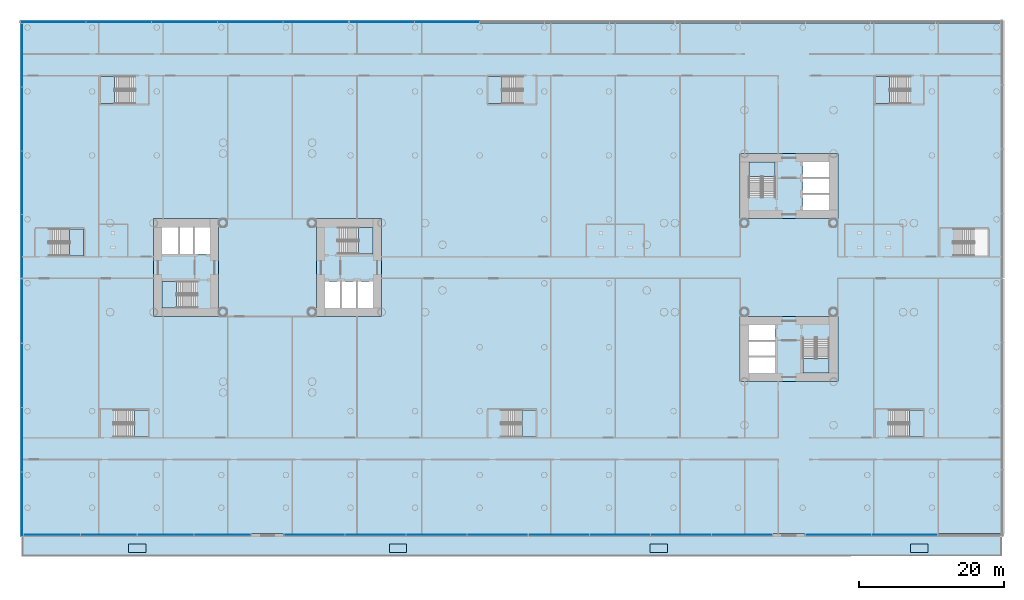
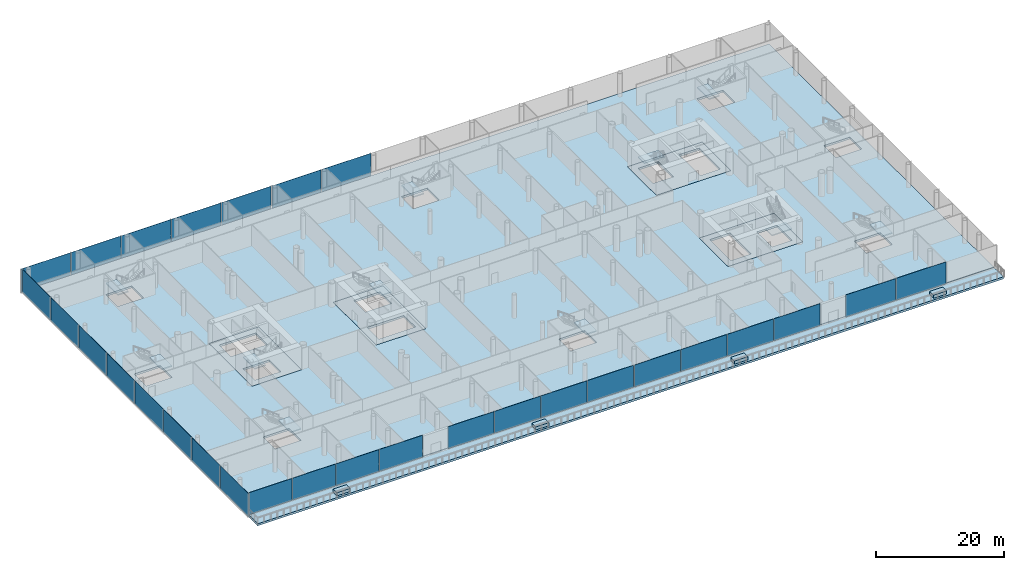
# One storey, part 15 of 49: 29 plates, 21 slabs, 19 elements without a shape of their own.
"""IFC4 building model written with IfcOpenShell, lengths in metres."""

from ifc_helpers import new_model, si_unit, direction, frame, origin, origin_2d, place, context, subcontext, project, spatial, polyline, rectangle, outline, extrude, material, layer, layer_set, type_object, element, aggregate, save


model = new_model("IFC4")

# Units and contexts
model_context = context("Model", 3, precision=1e-05, world=origin(), true_north=direction((0.0, 1.0)))
body_context = subcontext(model_context, "Body", "Model", "MODEL_VIEW")
ifc_project = project(units=[si_unit("LENGTHUNIT", "METRE"), si_unit("AREAUNIT", "SQUARE_METRE"), si_unit("VOLUMEUNIT", "CUBIC_METRE"), si_unit("PLANEANGLEUNIT", "RADIAN"), si_unit("MASSUNIT", "GRAM", prefix="KILO")], contexts=[model_context])

# Site, building, storey
site_placement = place(None, origin())
site = spatial("IfcSite", under=ifc_project, at=site_placement, CompositionType="ELEMENT")
building_placement = place(site_placement, origin())
building = spatial("IfcBuilding", under=site, at=building_placement, Name="Ipe Terrace Towers", CompositionType="ELEMENT")
storey_placement = place(building_placement, frame((0.0, 0.0, 11.0)))
storey = spatial("IfcBuildingStorey", under=building, at=storey_placement, Name="L02", CompositionType="ELEMENT", Elevation=11.0)

# Slabs
ifc_material_1 = material(Name="Concrete C30/37", Category="concrete")
ifc_layer_1 = layer(ifc_material_1, 0.39990234375)
ifc_layer_set_1 = layer_set([ifc_layer_1], Name="CORE FLOOR SLAB 400 C30-37")
slab_type_1 = type_object("IfcSlabType", Name="CORE FLOOR SLAB 400 C30-37", PredefinedType="FLOOR", material=ifc_layer_set_1)
slab_1_placement = place(storey_placement, frame((0.0, 0.0, -0.39990234375)))
element("IfcSlab", 1, at=slab_1_placement, inside=storey, type_object=slab_type_1, Name="Core floor T1-C1", PredefinedType="FLOOR", context=body_context, shape_type="SweptSolid", body=[
    extrude(outline(polyline([(-29.25, -6.75), (-29.25, 6.75), (-20.25, 6.75), (-20.25, -6.75), (-29.25, -6.75)]), holes=[polyline([(-28.050048828125, -5.550048828125), (-21.449951171875, -5.550048828125), (-21.449951171875, -1.89990234375), (-28.050048828125, -1.89990234375), (-28.050048828125, -5.550048828125)]), polyline([(-26.199951171875, 5.550048828125), (-26.199951171875, 1.89990234375), (-21.449951171875, 1.89990234375), (-21.449951171875, 5.550048828125), (-26.199951171875, 5.550048828125)])]), origin(), (0.0, 0.0, 1.0), 0.39990234375),
])
slab_2_placement = place(storey_placement, frame((0.0, 0.0, -0.39990234375)))
element("IfcSlab", 2, at=slab_2_placement, inside=storey, type_object=slab_type_1, Name="Core floor T1-C2", PredefinedType="FLOOR", context=body_context, shape_type="SweptSolid", body=[
    extrude(outline(polyline([(-51.75, -6.75), (-51.75, 6.75), (-42.75, 6.75), (-42.75, -6.75), (-51.75, -6.75)]), holes=[polyline([(-45.800048828125, -5.550048828125), (-45.800048828125, -1.89990234375), (-50.550048828125, -1.89990234375), (-50.550048828125, -5.550048828125), (-45.800048828125, -5.550048828125)]), polyline([(-50.550048828125, 1.89990234375), (-43.949951171875, 1.89990234375), (-43.949951171875, 5.550048828125), (-50.550048828125, 5.550048828125), (-50.550048828125, 1.89990234375)])]), origin(), (0.0, 0.0, 1.0), 0.39990234375),
])
slab_3_placement = place(storey_placement, frame((0.0, 0.0, -0.39990234375)))
element("IfcSlab", 3, at=slab_3_placement, inside=storey, type_object=slab_type_1, Name="Core floor T2-C1", PredefinedType="FLOOR", context=body_context, shape_type="SweptSolid", body=[
    extrude(outline(polyline([(29.25, 6.75), (29.25, 15.75), (42.75, 15.75), (42.75, 6.75), (29.25, 6.75)]), holes=[polyline([(41.550048828125, 7.949951171875), (41.550048828125, 14.550048828125), (37.89990234375, 14.550048828125), (37.89990234375, 7.949951171875), (41.550048828125, 7.949951171875)]), polyline([(30.449951171875, 9.800048828125), (34.10009765625, 9.800048828125), (34.10009765625, 14.550048828125), (30.449951171875, 14.550048828125), (30.449951171875, 9.800048828125)])]), origin(), (0.0, 0.0, 1.0), 0.39990234375),
])
slab_4_placement = place(storey_placement, frame((0.0, 0.0, -0.39990234375)))
element("IfcSlab", 4, at=slab_4_placement, inside=storey, type_object=slab_type_1, Name="Core floor T2-C2", PredefinedType="FLOOR", context=body_context, shape_type="SweptSolid", body=[
    extrude(outline(polyline([(29.25, -15.75), (29.25, -6.75), (42.75, -6.75), (42.75, -15.75), (29.25, -15.75)]), holes=[polyline([(34.10009765625, -14.550048828125), (34.10009765625, -7.949951171875), (30.449951171875, -7.949951171875), (30.449951171875, -14.550048828125), (34.10009765625, -14.550048828125)]), polyline([(41.550048828125, -9.800048828125), (37.89990234375, -9.800048828125), (37.89990234375, -14.550048828125), (41.550048828125, -14.550048828125), (41.550048828125, -9.800048828125)])]), origin(), (0.0, 0.0, 1.0), 0.39990234375),
])

# Stair, slab
ifc_material_2 = material(Name="Concrete C30/37", Category="concrete")
stair_type = type_object("IfcStairType", Name="Protected exit stair", PredefinedType="HALF_TURN_STAIR", material=ifc_material_2)
stair_1_placement = place(storey_placement, origin())
stair_1 = element("IfcStair", 5, at=stair_1_placement, inside=storey, type_object=stair_type, Name="L02 Exit stair T1-C1", PredefinedType="HALF_TURN_STAIR")
ifc_material_3 = material(Name="Concrete C30/37", Category="concrete")
ifc_layer_2 = layer(ifc_material_3, 0.199951171875)
ifc_layer_set_2 = layer_set([ifc_layer_2], Name="Exit stair landing 200")
slab_type_2 = type_object("IfcSlabType", Name="Exit stair landing 200", PredefinedType="LANDING", material=ifc_layer_set_2)
slab_5_placement = place(storey_placement, frame((0.0, 0.0, 2.050048828125)))
slab_5 = element("IfcSlab", 6, at=slab_5_placement, type_object=slab_type_2, Name="T1-ST1 landing 1", PredefinedType="LANDING", context=body_context, shape_type="SweptSolid", body=[
    extrude(outline(polyline([(-23.43994140625, 1.89990234375), (-21.449951171875, 1.89990234375), (-21.449951171875, 5.550048828125), (-23.43994140625, 5.550048828125), (-23.43994140625, 1.89990234375)])), origin(), (0.0, 0.0, 1.0), 0.199951171875),
])
aggregate(stair_1, [slab_5])

stair_2_placement = place(storey_placement, origin())
stair_2 = element("IfcStair", 7, at=stair_2_placement, inside=storey, type_object=stair_type, Name="L02 Exit stair T1-C2", PredefinedType="HALF_TURN_STAIR")
slab_6_placement = place(storey_placement, frame((0.0, 0.0, 2.050048828125)))
slab_6 = element("IfcSlab", 8, at=slab_6_placement, type_object=slab_type_2, Name="T1-ST2 landing 1", PredefinedType="LANDING", context=body_context, shape_type="SweptSolid", body=[
    extrude(outline(polyline([(-48.56005859375, -1.89990234375), (-50.550048828125, -1.89990234375), (-50.550048828125, -5.550048828125), (-48.56005859375, -5.550048828125), (-48.56005859375, -1.89990234375)])), origin(), (0.0, 0.0, 1.0), 0.199951171875),
])
aggregate(stair_2, [slab_6])

stair_3_placement = place(storey_placement, origin())
stair_3 = element("IfcStair", 9, at=stair_3_placement, inside=storey, type_object=stair_type, Name="L02 Exit stair T2-C1", PredefinedType="HALF_TURN_STAIR")
slab_7_placement = place(storey_placement, frame((0.0, 0.0, 2.050048828125)))
slab_7 = element("IfcSlab", 10, at=slab_7_placement, type_object=slab_type_2, Name="T2-ST1 landing 1", PredefinedType="LANDING", context=body_context, shape_type="SweptSolid", body=[
    extrude(outline(polyline([(34.10009765625, 12.56005859375), (34.10009765625, 14.550048828125), (30.449951171875, 14.550048828125), (30.449951171875, 12.56005859375), (34.10009765625, 12.56005859375)])), origin(), (0.0, 0.0, 1.0), 0.199951171875),
])
aggregate(stair_3, [slab_7])

stair_4_placement = place(storey_placement, origin())
stair_4 = element("IfcStair", 11, at=stair_4_placement, inside=storey, type_object=stair_type, Name="L02 Exit stair T2-C2", PredefinedType="HALF_TURN_STAIR")
slab_8_placement = place(storey_placement, frame((0.0, 0.0, 2.050048828125)))
slab_8 = element("IfcSlab", 12, at=slab_8_placement, type_object=slab_type_2, Name="T2-ST2 landing 1", PredefinedType="LANDING", context=body_context, shape_type="SweptSolid", body=[
    extrude(outline(polyline([(37.89990234375, -12.56005859375), (37.89990234375, -14.550048828125), (41.550048828125, -14.550048828125), (41.550048828125, -12.56005859375), (37.89990234375, -12.56005859375)])), origin(), (0.0, 0.0, 1.0), 0.199951171875),
])
aggregate(stair_4, [slab_8])

stair_5_placement = place(storey_placement, origin())
stair_5 = element("IfcStair", 13, at=stair_5_placement, inside=storey, type_object=stair_type, Name="L02 Podium exit stair PS1", PredefinedType="HALF_TURN_STAIR")
slab_9_placement = place(storey_placement, frame((0.0, 0.0, 2.050048828125)))
slab_9 = element("IfcSlab", 14, at=slab_9_placement, type_object=slab_type_2, Name="PS1 landing 1", PredefinedType="LANDING", context=body_context, shape_type="SweptSolid", body=[
    extrude(outline(polyline([(-57.1298828125, 26.39990234375), (-59.070068359375, 26.39990234375), (-59.070068359375, 22.64990234375), (-57.1298828125, 22.64990234375), (-57.1298828125, 26.39990234375)])), origin(), (0.0, 0.0, 1.0), 0.199951171875),
])
aggregate(stair_5, [slab_9])

stair_6_placement = place(storey_placement, origin())
stair_6 = element("IfcStair", 15, at=stair_6_placement, inside=storey, type_object=stair_type, Name="L02 Podium exit stair PS2", PredefinedType="HALF_TURN_STAIR")
slab_10_placement = place(storey_placement, frame((0.0, 0.0, 2.050048828125)))
slab_10 = element("IfcSlab", 16, at=slab_10_placement, type_object=slab_type_2, Name="PS2 landing 1", PredefinedType="LANDING", context=body_context, shape_type="SweptSolid", body=[
    extrude(outline(polyline([(-3.610107421875, 26.39990234375), (-5.550048828125, 26.39990234375), (-5.550048828125, 22.64990234375), (-3.610107421875, 22.64990234375), (-3.610107421875, 26.39990234375)])), origin(), (0.0, 0.0, 1.0), 0.199951171875),
])
aggregate(stair_6, [slab_10])

stair_7_placement = place(storey_placement, origin())
stair_7 = element("IfcStair", 17, at=stair_7_placement, inside=storey, type_object=stair_type, Name="L02 Podium exit stair PS3", PredefinedType="HALF_TURN_STAIR")
slab_11_placement = place(storey_placement, frame((0.0, 0.0, 2.050048828125)))
slab_11 = element("IfcSlab", 18, at=slab_11_placement, type_object=slab_type_2, Name="PS3 landing 1", PredefinedType="LANDING", context=body_context, shape_type="SweptSolid", body=[
    extrude(outline(polyline([(49.909912109375, 26.39990234375), (47.969970703125, 26.39990234375), (47.969970703125, 22.64990234375), (49.909912109375, 22.64990234375), (49.909912109375, 26.39990234375)])), origin(), (0.0, 0.0, 1.0), 0.199951171875),
])
aggregate(stair_7, [slab_11])

stair_8_placement = place(storey_placement, origin())
stair_8 = element("IfcStair", 19, at=stair_8_placement, inside=storey, type_object=stair_type, Name="L02 Podium exit stair PS4", PredefinedType="HALF_TURN_STAIR")
slab_12_placement = place(storey_placement, frame((0.0, 0.0, 2.050048828125)))
slab_12 = element("IfcSlab", 20, at=slab_12_placement, type_object=slab_type_2, Name="PS4 landing 1", PredefinedType="LANDING", context=body_context, shape_type="SweptSolid", body=[
    extrude(outline(polyline([(-54.409912109375, -23.39990234375), (-52.469970703125, -23.39990234375), (-52.469970703125, -19.64990234375), (-54.409912109375, -19.64990234375), (-54.409912109375, -23.39990234375)])), origin(), (0.0, 0.0, 1.0), 0.199951171875),
])
aggregate(stair_8, [slab_12])

stair_9_placement = place(storey_placement, origin())
stair_9 = element("IfcStair", 21, at=stair_9_placement, inside=storey, type_object=stair_type, Name="L02 Podium exit stair PS5", PredefinedType="HALF_TURN_STAIR")
slab_13_placement = place(storey_placement, frame((0.0, 0.0, 2.050048828125)))
slab_13 = element("IfcSlab", 22, at=slab_13_placement, type_object=slab_type_2, Name="PS5 landing 1", PredefinedType="LANDING", context=body_context, shape_type="SweptSolid", body=[
    extrude(outline(polyline([(-0.889892578125, -23.39990234375), (1.050048828125, -23.39990234375), (1.050048828125, -19.64990234375), (-0.889892578125, -19.64990234375), (-0.889892578125, -23.39990234375)])), origin(), (0.0, 0.0, 1.0), 0.199951171875),
])
aggregate(stair_9, [slab_13])

stair_10_placement = place(storey_placement, origin())
stair_10 = element("IfcStair", 23, at=stair_10_placement, inside=storey, type_object=stair_type, Name="L02 Podium exit stair PS6", PredefinedType="HALF_TURN_STAIR")
slab_14_placement = place(storey_placement, frame((0.0, 0.0, 2.050048828125)))
slab_14 = element("IfcSlab", 24, at=slab_14_placement, type_object=slab_type_2, Name="PS6 landing 1", PredefinedType="LANDING", context=body_context, shape_type="SweptSolid", body=[
    extrude(outline(polyline([(52.6298828125, -23.39990234375), (54.570068359375, -23.39990234375), (54.570068359375, -19.64990234375), (52.6298828125, -19.64990234375), (52.6298828125, -23.39990234375)])), origin(), (0.0, 0.0, 1.0), 0.199951171875),
])
aggregate(stair_10, [slab_14])

stair_11_placement = place(storey_placement, origin())
stair_11 = element("IfcStair", 25, at=stair_11_placement, inside=storey, type_object=stair_type, Name="L02 Podium exit stair PS7", PredefinedType="HALF_TURN_STAIR")
slab_15_placement = place(storey_placement, frame((0.0, 0.0, 2.050048828125)))
slab_15 = element("IfcSlab", 26, at=slab_15_placement, type_object=slab_type_2, Name="PS7 landing 1", PredefinedType="LANDING", context=body_context, shape_type="SweptSolid", body=[
    extrude(outline(polyline([(-63.330078125, 1.60009765625), (-61.389892578125, 1.60009765625), (-61.389892578125, 5.35009765625), (-63.330078125, 5.35009765625), (-63.330078125, 1.60009765625)])), origin(), (0.0, 0.0, 1.0), 0.199951171875),
])
aggregate(stair_11, [slab_15])

# Slab
ifc_material_4 = material(Name="Concrete C40/50", Category="concrete")
ifc_layer_3 = layer(ifc_material_4, 0.39990234375)
ifc_layer_set_3 = layer_set([ifc_layer_3], Name="PODIUM FLOOR SLAB 400 C40-50")
slab_type_3 = type_object("IfcSlabType", Name="PODIUM FLOOR SLAB 400 C40-50", PredefinedType="FLOOR", material=ifc_layer_set_3)
slab_16_placement = place(storey_placement, frame((0.0, 0.0, -0.39990234375)))
element("IfcSlab", 27, at=slab_16_placement, inside=storey, type_object=slab_type_3, Name="Slab PD-FS-L02", PredefinedType="FLOOR", context=body_context, shape_type="SweptSolid", body=[
    extrude(outline(polyline([(-69.75, -36.75), (-69.75, 33.75), (65.25, 33.75), (65.25, -36.75), (-69.75, -36.75)]), holes=[polyline([(-20.25, -6.75), (-20.25, 6.75), (-29.25, 6.75), (-29.25, -6.75), (-20.25, -6.75)]), polyline([(-51.75, -6.75), (-42.75, -6.75), (-42.75, 6.75), (-51.75, 6.75), (-51.75, -6.75)]), polyline([(29.25, 15.75), (29.25, 6.75), (42.75, 6.75), (42.75, 15.75), (29.25, 15.75)]), polyline([(42.75, -6.75), (29.25, -6.75), (29.25, -15.75), (42.75, -15.75), (42.75, -6.75)]), polyline([(-52.469970703125, -19.64990234375), (-57.169921875, -19.64990234375), (-57.169921875, -23.39990234375), (-52.469970703125, -23.39990234375), (-52.469970703125, -19.64990234375)]), polyline([(1.050048828125, -19.64990234375), (-3.64990234375, -19.64990234375), (-3.64990234375, -23.39990234375), (1.050048828125, -23.39990234375), (1.050048828125, -19.64990234375)]), polyline([(54.570068359375, -19.64990234375), (49.8701171875, -19.64990234375), (49.8701171875, -23.39990234375), (54.570068359375, -23.39990234375), (54.570068359375, -19.64990234375)]), polyline([(-61.389892578125, 5.35009765625), (-66.090087890625, 5.35009765625), (-66.090087890625, 1.60009765625), (-61.389892578125, 1.60009765625), (-61.389892578125, 5.35009765625)]), polyline([(63.489990234375, 5.35009765625), (58.7900390625, 5.35009765625), (58.7900390625, 1.60009765625), (63.489990234375, 1.60009765625), (63.489990234375, 5.35009765625)]), polyline([(-59.070068359375, 22.64990234375), (-54.3701171875, 22.64990234375), (-54.3701171875, 26.39990234375), (-59.070068359375, 26.39990234375), (-59.070068359375, 22.64990234375)]), polyline([(-5.550048828125, 22.64990234375), (-0.85009765625, 22.64990234375), (-0.85009765625, 26.39990234375), (-5.550048828125, 26.39990234375), (-5.550048828125, 22.64990234375)]), polyline([(47.969970703125, 22.64990234375), (52.669921875, 22.64990234375), (52.669921875, 26.39990234375), (47.969970703125, 26.39990234375), (47.969970703125, 22.64990234375)])]), origin(), (0.0, 0.0, 1.0), 0.39990234375),
])

# Curtain wall, plates
ifc_material_5 = material(Name="Aluminium alloy 6063-T6", Category="aluminium")
ifc_layer_4 = layer(ifc_material_5, 0.43994140625)
ifc_layer_set_4 = layer_set([ifc_layer_4], Name="PODIUM GLAZING CURTAIN WALL")
curtain_wall_type = type_object("IfcCurtainWallType", Name="PODIUM GLAZING CURTAIN WALL", PredefinedType="NOTDEFINED", material=ifc_layer_set_4)
curtain_wall_1_placement = place(storey_placement, origin())
curtain_wall_1 = element("IfcCurtainWall", 28, at=curtain_wall_1_placement, inside=storey, type_object=curtain_wall_type, Name="POD-CW-L02-01b curtain wall", PredefinedType="NOTDEFINED")
ifc_material_6 = material(Name="Glass, clear laminated", Category="glass")
ifc_layer_5 = layer(ifc_material_6, 0.035888671875)
ifc_layer_set_5 = layer_set([ifc_layer_5], Name="PODIUM GLAZING GLASS PANEL 36")
plate_type = type_object("IfcPlateType", Name="PODIUM GLAZING GLASS PANEL 36", PredefinedType="CURTAIN_PANEL", material=ifc_layer_set_5)
plate_1_placement = place(storey_placement, frame((-11.23388671875, 33.89990234375, -0.300048828125), z_axis=(0.0, 0.0, 1.0), x_axis=(-1.0, 0.0, 0.0)))
plate_1 = element("IfcPlate", 29, at=plate_1_placement, type_object=plate_type, Name="POD-CW-L02-01b panel 4", PredefinedType="CURTAIN_PANEL", context=body_context, shape_type="SweptSolid", body=[
    extrude(rectangle(XDim=8.904052734375, YDim=0.035888671875, at=origin_2d()), origin(), (0.0, 0.0, 1.0), 4.5),
])
plate_2_placement = place(storey_placement, frame((-20.218017578125, 33.89990234375, -0.300048828125), z_axis=(0.0, 0.0, 1.0), x_axis=(-1.0, 0.0, 0.0)))
plate_2 = element("IfcPlate", 30, at=plate_2_placement, type_object=plate_type, Name="POD-CW-L02-01b panel 5", PredefinedType="CURTAIN_PANEL", context=body_context, shape_type="SweptSolid", body=[
    extrude(rectangle(XDim=8.904052734375, YDim=0.035888671875, at=origin_2d()), origin(), (0.0, 0.0, 1.0), 4.5),
])
aggregate(curtain_wall_1, [plate_1, plate_2])

curtain_wall_2_placement = place(storey_placement, origin())
curtain_wall_2 = element("IfcCurtainWall", 31, at=curtain_wall_2_placement, inside=storey, type_object=curtain_wall_type, Name="POD-CW-L02-01c curtain wall", PredefinedType="NOTDEFINED")
plate_3_placement = place(storey_placement, frame((-29.325927734375, 33.89990234375, -0.300048828125), z_axis=(0.0, 0.0, 1.0), x_axis=(-1.0, 0.0, 0.0)))
plate_3 = element("IfcPlate", 32, at=plate_3_placement, type_object=plate_type, Name="POD-CW-L02-01c panel 1", PredefinedType="CURTAIN_PANEL", context=body_context, shape_type="SweptSolid", body=[
    extrude(rectangle(XDim=8.991943359375, YDim=0.035888671875, at=origin_2d()), origin(), (0.0, 0.0, 1.0), 4.5),
])
plate_4_placement = place(storey_placement, frame((-38.39794921875, 33.89990234375, -0.300048828125), z_axis=(0.0, 0.0, 1.0), x_axis=(-1.0, 0.0, 0.0)))
plate_4 = element("IfcPlate", 33, at=plate_4_placement, type_object=plate_type, Name="POD-CW-L02-01c panel 2", PredefinedType="CURTAIN_PANEL", context=body_context, shape_type="SweptSolid", body=[
    extrude(rectangle(XDim=8.991943359375, YDim=0.035888671875, at=origin_2d()), origin(), (0.0, 0.0, 1.0), 4.5),
])
plate_5_placement = place(storey_placement, frame((-47.469970703125, 33.89990234375, -0.300048828125), z_axis=(0.0, 0.0, 1.0), x_axis=(-1.0, 0.0, 0.0)))
plate_5 = element("IfcPlate", 34, at=plate_5_placement, type_object=plate_type, Name="POD-CW-L02-01c panel 3", PredefinedType="CURTAIN_PANEL", context=body_context, shape_type="SweptSolid", body=[
    extrude(rectangle(XDim=8.991943359375, YDim=0.035888671875, at=origin_2d()), origin(), (0.0, 0.0, 1.0), 4.5),
])
plate_6_placement = place(storey_placement, frame((-56.5419921875, 33.89990234375, -0.300048828125), z_axis=(0.0, 0.0, 1.0), x_axis=(-1.0, 0.0, 0.0)))
plate_6 = element("IfcPlate", 35, at=plate_6_placement, type_object=plate_type, Name="POD-CW-L02-01c panel 4", PredefinedType="CURTAIN_PANEL", context=body_context, shape_type="SweptSolid", body=[
    extrude(rectangle(XDim=8.991943359375, YDim=0.035888671875, at=origin_2d()), origin(), (0.0, 0.0, 1.0), 4.5),
])
plate_7_placement = place(storey_placement, frame((-65.614013671875, 33.89990234375, -0.300048828125), z_axis=(0.0, 0.0, 1.0), x_axis=(-1.0, 0.0, 0.0)))
plate_7 = element("IfcPlate", 36, at=plate_7_placement, type_object=plate_type, Name="POD-CW-L02-01c panel 5", PredefinedType="CURTAIN_PANEL", context=body_context, shape_type="SweptSolid", body=[
    extrude(rectangle(XDim=8.991943359375, YDim=0.035888671875, at=origin_2d()), origin(), (0.0, 0.0, 1.0), 4.5),
])
aggregate(curtain_wall_2, [plate_3, plate_4, plate_5, plate_6, plate_7])

curtain_wall_3_placement = place(storey_placement, origin())
curtain_wall_3 = element("IfcCurtainWall", 37, at=curtain_wall_3_placement, inside=storey, type_object=curtain_wall_type, Name="POD-CW-L02-02a curtain wall", PredefinedType="NOTDEFINED")
plate_8_placement = place(storey_placement, frame((-69.89990234375, 29.313720703125, -0.300048828125), z_axis=(0.0, 0.0, 1.0), x_axis=(0.0, -1.0, 0.0)))
plate_8 = element("IfcPlate", 38, at=plate_8_placement, type_object=plate_type, Name="POD-CW-L02-02a panel 1", PredefinedType="CURTAIN_PANEL", context=body_context, shape_type="SweptSolid", body=[
    extrude(rectangle(XDim=8.71240234375, YDim=0.035888671875, at=origin_2d()), origin(), (0.0, 0.0, 1.0), 4.5),
])
plate_9_placement = place(storey_placement, frame((-69.89990234375, 20.521240234375, -0.300048828125), z_axis=(0.0, 0.0, 1.0), x_axis=(0.0, -1.0, 0.0)))
plate_9 = element("IfcPlate", 39, at=plate_9_placement, type_object=plate_type, Name="POD-CW-L02-02a panel 2", PredefinedType="CURTAIN_PANEL", context=body_context, shape_type="SweptSolid", body=[
    extrude(rectangle(XDim=8.71240234375, YDim=0.035888671875, at=origin_2d()), origin(), (0.0, 0.0, 1.0), 4.5),
])
plate_10_placement = place(storey_placement, frame((-69.89990234375, 11.728759765625, -0.300048828125), z_axis=(0.0, 0.0, 1.0), x_axis=(0.0, -1.0, 0.0)))
plate_10 = element("IfcPlate", 40, at=plate_10_placement, type_object=plate_type, Name="POD-CW-L02-02a panel 3", PredefinedType="CURTAIN_PANEL", context=body_context, shape_type="SweptSolid", body=[
    extrude(rectangle(XDim=8.71240234375, YDim=0.035888671875, at=origin_2d()), origin(), (0.0, 0.0, 1.0), 4.5),
])
plate_11_placement = place(storey_placement, frame((-69.89990234375, 2.936279296875, -0.300048828125), z_axis=(0.0, 0.0, 1.0), x_axis=(0.0, -1.0, 0.0)))
plate_11 = element("IfcPlate", 41, at=plate_11_placement, type_object=plate_type, Name="POD-CW-L02-02a panel 4", PredefinedType="CURTAIN_PANEL", context=body_context, shape_type="SweptSolid", body=[
    extrude(rectangle(XDim=8.71240234375, YDim=0.035888671875, at=origin_2d()), origin(), (0.0, 0.0, 1.0), 4.5),
])
aggregate(curtain_wall_3, [plate_8, plate_9, plate_10, plate_11])

curtain_wall_4_placement = place(storey_placement, origin())
curtain_wall_4 = element("IfcCurtainWall", 42, at=curtain_wall_4_placement, inside=storey, type_object=curtain_wall_type, Name="POD-CW-L02-02b curtain wall", PredefinedType="NOTDEFINED")
plate_12_placement = place(storey_placement, frame((-69.89990234375, -5.9912109375, -0.300048828125), z_axis=(0.0, 0.0, 1.0), x_axis=(0.0, -1.0, 0.0)))
plate_12 = element("IfcPlate", 43, at=plate_12_placement, type_object=plate_type, Name="POD-CW-L02-02b panel 1", PredefinedType="CURTAIN_PANEL", context=body_context, shape_type="SweptSolid", body=[
    extrude(rectangle(XDim=8.822509765625, YDim=0.035888671875, at=origin_2d()), origin(), (0.0, 0.0, 1.0), 4.5),
])
plate_13_placement = place(storey_placement, frame((-69.89990234375, -14.893798828125, -0.300048828125), z_axis=(0.0, 0.0, 1.0), x_axis=(0.0, -1.0, 0.0)))
plate_13 = element("IfcPlate", 44, at=plate_13_placement, type_object=plate_type, Name="POD-CW-L02-02b panel 2", PredefinedType="CURTAIN_PANEL", context=body_context, shape_type="SweptSolid", body=[
    extrude(rectangle(XDim=8.822509765625, YDim=0.035888671875, at=origin_2d()), origin(), (0.0, 0.0, 1.0), 4.5),
])
plate_14_placement = place(storey_placement, frame((-69.89990234375, -23.796142578125, -0.300048828125), z_axis=(0.0, 0.0, 1.0), x_axis=(0.0, -1.0, 0.0)))
plate_14 = element("IfcPlate", 45, at=plate_14_placement, type_object=plate_type, Name="POD-CW-L02-02b panel 3", PredefinedType="CURTAIN_PANEL", context=body_context, shape_type="SweptSolid", body=[
    extrude(rectangle(XDim=8.822509765625, YDim=0.035888671875, at=origin_2d()), origin(), (0.0, 0.0, 1.0), 4.5),
])
plate_15_placement = place(storey_placement, frame((-69.89990234375, -32.69873046875, -0.300048828125), z_axis=(0.0, 0.0, 1.0), x_axis=(0.0, -1.0, 0.0)))
plate_15 = element("IfcPlate", 46, at=plate_15_placement, type_object=plate_type, Name="POD-CW-L02-02b panel 4", PredefinedType="CURTAIN_PANEL", context=body_context, shape_type="SweptSolid", body=[
    extrude(rectangle(XDim=8.822509765625, YDim=0.035888671875, at=origin_2d()), origin(), (0.0, 0.0, 1.0), 4.5),
])
aggregate(curtain_wall_4, [plate_12, plate_13, plate_14, plate_15])

curtain_wall_5_placement = place(storey_placement, origin())
curtain_wall_5 = element("IfcCurtainWall", 47, at=curtain_wall_5_placement, inside=storey, type_object=curtain_wall_type, Name="POD-CW-L02-03a curtain wall", PredefinedType="NOTDEFINED")
plate_16_placement = place(storey_placement, frame((-65.782470703125, -36.89990234375, -0.02001953125), z_axis=(0.0, 0.0, 1.0), x_axis=(1.0, 0.0, 0.0)))
plate_16 = element("IfcPlate", 48, at=plate_16_placement, type_object=plate_type, Name="POD-CW-L02-03a panel 1", PredefinedType="CURTAIN_PANEL", context=body_context, shape_type="SweptSolid", body=[
    extrude(rectangle(XDim=7.77490234375, YDim=0.035888671875, at=origin_2d()), origin(), (0.0, 0.0, 1.0), 4.219970703125),
])
plate_17_placement = place(storey_placement, frame((-57.927490234375, -36.89990234375, -0.02001953125), z_axis=(0.0, 0.0, 1.0), x_axis=(1.0, 0.0, 0.0)))
plate_17 = element("IfcPlate", 49, at=plate_17_placement, type_object=plate_type, Name="POD-CW-L02-03a panel 2", PredefinedType="CURTAIN_PANEL", context=body_context, shape_type="SweptSolid", body=[
    extrude(rectangle(XDim=7.77490234375, YDim=0.035888671875, at=origin_2d()), origin(), (0.0, 0.0, 1.0), 4.219970703125),
])
plate_18_placement = place(storey_placement, frame((-50.072509765625, -36.89990234375, -0.02001953125), z_axis=(0.0, 0.0, 1.0), x_axis=(1.0, 0.0, 0.0)))
plate_18 = element("IfcPlate", 50, at=plate_18_placement, type_object=plate_type, Name="POD-CW-L02-03a panel 3", PredefinedType="CURTAIN_PANEL", context=body_context, shape_type="SweptSolid", body=[
    extrude(rectangle(XDim=7.77490234375, YDim=0.035888671875, at=origin_2d()), origin(), (0.0, 0.0, 1.0), 4.219970703125),
])
plate_19_placement = place(storey_placement, frame((-42.217529296875, -36.89990234375, -0.02001953125), z_axis=(0.0, 0.0, 1.0), x_axis=(1.0, 0.0, 0.0)))
plate_19 = element("IfcPlate", 51, at=plate_19_placement, type_object=plate_type, Name="POD-CW-L02-03a panel 4", PredefinedType="CURTAIN_PANEL", context=body_context, shape_type="SweptSolid", body=[
    extrude(rectangle(XDim=7.77490234375, YDim=0.035888671875, at=origin_2d()), origin(), (0.0, 0.0, 1.0), 4.219970703125),
])
aggregate(curtain_wall_5, [plate_16, plate_17, plate_18, plate_19])

curtain_wall_6_placement = place(storey_placement, origin())
curtain_wall_6 = element("IfcCurtainWall", 52, at=curtain_wall_6_placement, inside=storey, type_object=curtain_wall_type, Name="POD-CW-L02-03c curtain wall", PredefinedType="NOTDEFINED")
plate_20_placement = place(storey_placement, frame((-29.501220703125, -36.89990234375, -0.02001953125), z_axis=(0.0, 0.0, 1.0), x_axis=(1.0, 0.0, 0.0)))
plate_20 = element("IfcPlate", 53, at=plate_20_placement, type_object=plate_type, Name="POD-CW-L02-03c panel 1", PredefinedType="CURTAIN_PANEL", context=body_context, shape_type="SweptSolid", body=[
    extrude(rectangle(XDim=8.33740234375, YDim=0.035888671875, at=origin_2d()), origin(), (0.0, 0.0, 1.0), 4.219970703125),
])
plate_21_placement = place(storey_placement, frame((-21.083740234375, -36.89990234375, -0.02001953125), z_axis=(0.0, 0.0, 1.0), x_axis=(1.0, 0.0, 0.0)))
plate_21 = element("IfcPlate", 54, at=plate_21_placement, type_object=plate_type, Name="POD-CW-L02-03c panel 2", PredefinedType="CURTAIN_PANEL", context=body_context, shape_type="SweptSolid", body=[
    extrude(rectangle(XDim=8.33740234375, YDim=0.035888671875, at=origin_2d()), origin(), (0.0, 0.0, 1.0), 4.219970703125),
])
plate_22_placement = place(storey_placement, frame((-12.666259765625, -36.89990234375, -0.02001953125), z_axis=(0.0, 0.0, 1.0), x_axis=(1.0, 0.0, 0.0)))
plate_22 = element("IfcPlate", 55, at=plate_22_placement, type_object=plate_type, Name="POD-CW-L02-03c panel 3", PredefinedType="CURTAIN_PANEL", context=body_context, shape_type="SweptSolid", body=[
    extrude(rectangle(XDim=8.33740234375, YDim=0.035888671875, at=origin_2d()), origin(), (0.0, 0.0, 1.0), 4.219970703125),
])
plate_23_placement = place(storey_placement, frame((-4.248779296875, -36.89990234375, -0.02001953125), z_axis=(0.0, 0.0, 1.0), x_axis=(1.0, 0.0, 0.0)))
plate_23 = element("IfcPlate", 56, at=plate_23_placement, type_object=plate_type, Name="POD-CW-L02-03c panel 4", PredefinedType="CURTAIN_PANEL", context=body_context, shape_type="SweptSolid", body=[
    extrude(rectangle(XDim=8.33740234375, YDim=0.035888671875, at=origin_2d()), origin(), (0.0, 0.0, 1.0), 4.219970703125),
])
aggregate(curtain_wall_6, [plate_20, plate_21, plate_22, plate_23])

curtain_wall_7_placement = place(storey_placement, origin())
curtain_wall_7 = element("IfcCurtainWall", 57, at=curtain_wall_7_placement, inside=storey, type_object=curtain_wall_type, Name="POD-CW-L02-03d curtain wall", PredefinedType="NOTDEFINED")
plate_24_placement = place(storey_placement, frame((4.248779296875, -36.89990234375, -0.02001953125), z_axis=(0.0, 0.0, 1.0), x_axis=(1.0, 0.0, 0.0)))
plate_24 = element("IfcPlate", 58, at=plate_24_placement, type_object=plate_type, Name="POD-CW-L02-03d panel 1", PredefinedType="CURTAIN_PANEL", context=body_context, shape_type="SweptSolid", body=[
    extrude(rectangle(XDim=8.33740234375, YDim=0.035888671875, at=origin_2d()), origin(), (0.0, 0.0, 1.0), 4.219970703125),
])
plate_25_placement = place(storey_placement, frame((12.666259765625, -36.89990234375, -0.02001953125), z_axis=(0.0, 0.0, 1.0), x_axis=(1.0, 0.0, 0.0)))
plate_25 = element("IfcPlate", 59, at=plate_25_placement, type_object=plate_type, Name="POD-CW-L02-03d panel 2", PredefinedType="CURTAIN_PANEL", context=body_context, shape_type="SweptSolid", body=[
    extrude(rectangle(XDim=8.33740234375, YDim=0.035888671875, at=origin_2d()), origin(), (0.0, 0.0, 1.0), 4.219970703125),
])
plate_26_placement = place(storey_placement, frame((21.083740234375, -36.89990234375, -0.02001953125), z_axis=(0.0, 0.0, 1.0), x_axis=(1.0, 0.0, 0.0)))
plate_26 = element("IfcPlate", 60, at=plate_26_placement, type_object=plate_type, Name="POD-CW-L02-03d panel 3", PredefinedType="CURTAIN_PANEL", context=body_context, shape_type="SweptSolid", body=[
    extrude(rectangle(XDim=8.33740234375, YDim=0.035888671875, at=origin_2d()), origin(), (0.0, 0.0, 1.0), 4.219970703125),
])
plate_27_placement = place(storey_placement, frame((29.501220703125, -36.89990234375, -0.02001953125), z_axis=(0.0, 0.0, 1.0), x_axis=(1.0, 0.0, 0.0)))
plate_27 = element("IfcPlate", 61, at=plate_27_placement, type_object=plate_type, Name="POD-CW-L02-03d panel 4", PredefinedType="CURTAIN_PANEL", context=body_context, shape_type="SweptSolid", body=[
    extrude(rectangle(XDim=8.33740234375, YDim=0.035888671875, at=origin_2d()), origin(), (0.0, 0.0, 1.0), 4.219970703125),
])
aggregate(curtain_wall_7, [plate_24, plate_25, plate_26, plate_27])

curtain_wall_8_placement = place(storey_placement, origin())
curtain_wall_8 = element("IfcCurtainWall", 62, at=curtain_wall_8_placement, inside=storey, type_object=curtain_wall_type, Name="POD-CW-L02-03f curtain wall", PredefinedType="NOTDEFINED")
plate_28_placement = place(storey_placement, frame((42.85009765625, -36.89990234375, -0.02001953125), z_axis=(0.0, 0.0, 1.0), x_axis=(1.0, 0.0, 0.0)))
plate_28 = element("IfcPlate", 63, at=plate_28_placement, type_object=plate_type, Name="POD-CW-L02-03f panel 1", PredefinedType="CURTAIN_PANEL", context=body_context, shape_type="SweptSolid", body=[
    extrude(rectangle(XDim=9.0400390625, YDim=0.035888671875, at=origin_2d()), origin(), (0.0, 0.0, 1.0), 4.219970703125),
])
plate_29_placement = place(storey_placement, frame((51.969970703125, -36.89990234375, -0.02001953125), z_axis=(0.0, 0.0, 1.0), x_axis=(1.0, 0.0, 0.0)))
plate_29 = element("IfcPlate", 64, at=plate_29_placement, type_object=plate_type, Name="POD-CW-L02-03f panel 2", PredefinedType="CURTAIN_PANEL", context=body_context, shape_type="SweptSolid", body=[
    extrude(rectangle(XDim=9.0400390625, YDim=0.035888671875, at=origin_2d()), origin(), (0.0, 0.0, 1.0), 4.219970703125),
])
aggregate(curtain_wall_8, [plate_28, plate_29])

# Slabs
ifc_material_7 = material(Name="Concrete C30/37", Category="concrete")
ifc_layer_6 = layer(ifc_material_7, 0.60009765625)
ifc_layer_set_6 = layer_set([ifc_layer_6], Name="SHRUB TROUGH 2400 x 1200 x 600")
slab_type_4 = type_object("IfcSlabType", Name="SHRUB TROUGH 2400 x 1200 x 600", PredefinedType="USERDEFINED", material=ifc_layer_set_6)
slab_17_placement = place(storey_placement, frame((0.0, 0.0, -0.02001953125)))
element("IfcSlab", 65, at=slab_17_placement, inside=storey, type_object=slab_type_4, Name="planter", ObjectType="PLANTER", PredefinedType="USERDEFINED", context=body_context, shape_type="SweptSolid", body=[
    extrude(outline(polyline([(-55.199951171875, -39.360107421875), (-52.800048828125, -39.360107421875), (-52.800048828125, -38.159912109375), (-55.199951171875, -38.159912109375), (-55.199951171875, -39.360107421875)])), origin(), (0.0, 0.0, 1.0), 0.60009765625),
])
slab_18_placement = place(storey_placement, frame((0.0, 0.0, -0.02001953125)))
element("IfcSlab", 66, at=slab_18_placement, inside=storey, type_object=slab_type_4, Name="planter", ObjectType="PLANTER", PredefinedType="USERDEFINED", context=body_context, shape_type="SweptSolid", body=[
    extrude(outline(polyline([(-19.199951171875, -39.360107421875), (-16.800048828125, -39.360107421875), (-16.800048828125, -38.159912109375), (-19.199951171875, -38.159912109375), (-19.199951171875, -39.360107421875)])), origin(), (0.0, 0.0, 1.0), 0.60009765625),
])
slab_19_placement = place(storey_placement, frame((0.0, 0.0, -0.02001953125)))
element("IfcSlab", 67, at=slab_19_placement, inside=storey, type_object=slab_type_4, Name="planter", ObjectType="PLANTER", PredefinedType="USERDEFINED", context=body_context, shape_type="SweptSolid", body=[
    extrude(outline(polyline([(16.800048828125, -39.360107421875), (19.199951171875, -39.360107421875), (19.199951171875, -38.159912109375), (16.800048828125, -38.159912109375), (16.800048828125, -39.360107421875)])), origin(), (0.0, 0.0, 1.0), 0.60009765625),
])
slab_20_placement = place(storey_placement, frame((0.0, 0.0, -0.02001953125)))
element("IfcSlab", 68, at=slab_20_placement, inside=storey, type_object=slab_type_4, Name="planter", ObjectType="PLANTER", PredefinedType="USERDEFINED", context=body_context, shape_type="SweptSolid", body=[
    extrude(outline(polyline([(52.800048828125, -39.360107421875), (55.199951171875, -39.360107421875), (55.199951171875, -38.159912109375), (52.800048828125, -38.159912109375), (52.800048828125, -39.360107421875)])), origin(), (0.0, 0.0, 1.0), 0.60009765625),
])
ifc_material_8 = material(Name="Concrete C40/50", Category="concrete")
ifc_layer_7 = layer(ifc_material_8, 0.39990234375)
ifc_layer_set_7 = layer_set([ifc_layer_7], Name="TERRACE DECK SLAB 400 C40-50")
slab_type_5 = type_object("IfcSlabType", Name="TERRACE DECK SLAB 400 C40-50", PredefinedType="FLOOR", material=ifc_layer_set_7)
slab_21_placement = place(storey_placement, frame((0.0, 0.0, -0.419921875)))
element("IfcSlab", 69, at=slab_21_placement, inside=storey, type_object=slab_type_5, Name="Slab PD-TD-L02-1", PredefinedType="FLOOR", context=body_context, shape_type="SweptSolid", body=[
    extrude(outline(polyline([(65.2451171875, -39.7451171875), (-69.7451171875, -39.7451171875), (-69.7451171875, -36.7548828125), (65.2451171875, -36.7548828125), (65.2451171875, -39.7451171875)])), origin(), (0.0, 0.0, 1.0), 0.39990234375),
])

save(model, "model.ifc")
